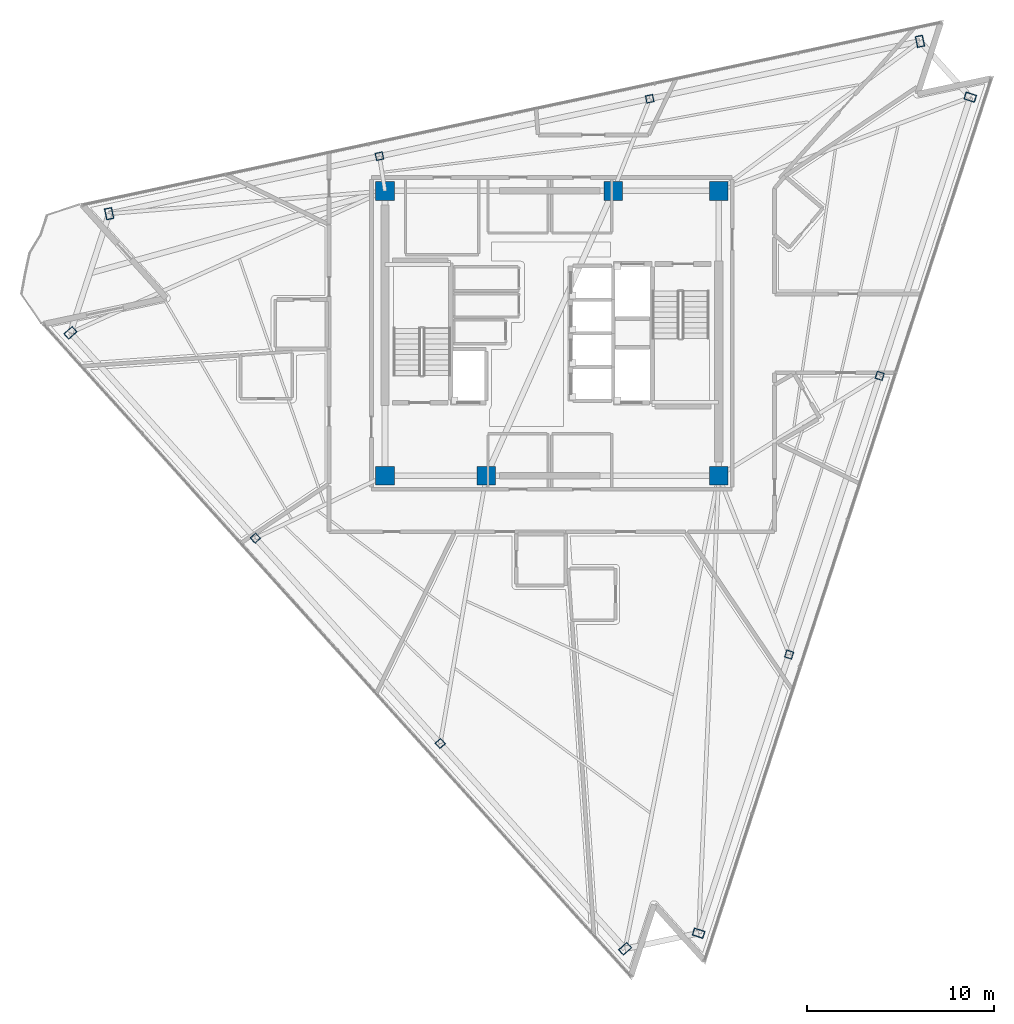
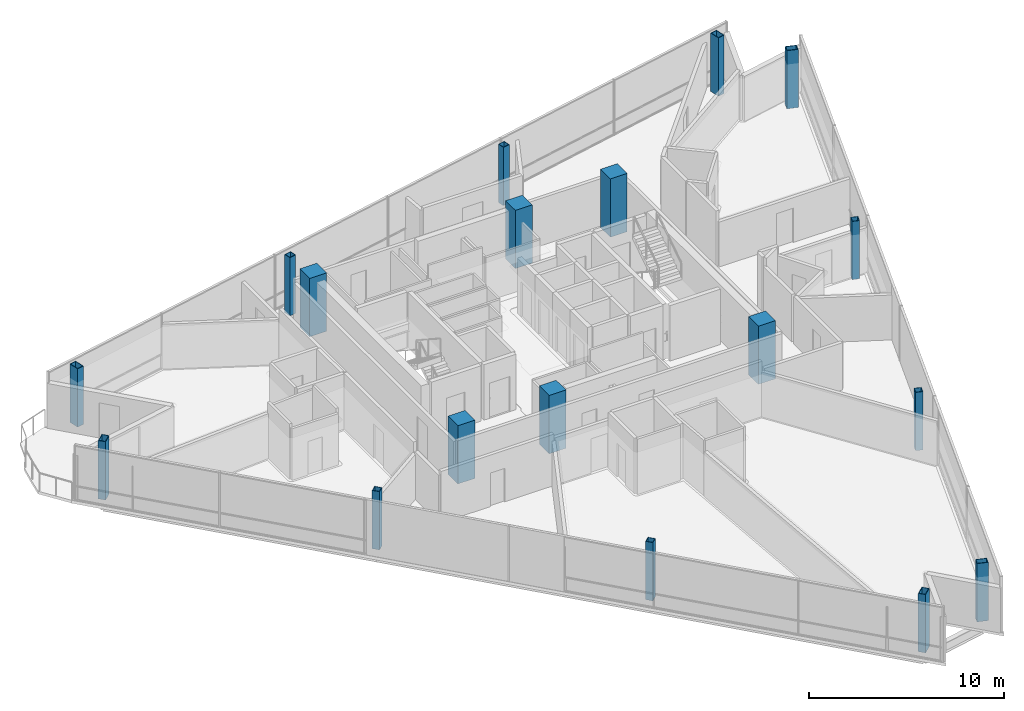
# One storey, part 1 of 18: 18 columns.
"""IFC4 building model written with IfcOpenShell, lengths in metres."""

from ifc_helpers import new_model, si_unit, direction, frame, origin, origin_2d, place, context, subcontext, project, spatial, rectangle, hollow_rectangle, extrude, material, material_profile, profile_set, type_object, element, save


model = new_model("IFC4")

# Units and contexts
model_context = context("Model", 3, precision=1e-05, world=origin(), true_north=direction((0.0, 1.0)))
body_context = subcontext(model_context, "Body", "Model", "MODEL_VIEW")
ifc_project = project(units=[si_unit("LENGTHUNIT", "METRE"), si_unit("AREAUNIT", "SQUARE_METRE"), si_unit("VOLUMEUNIT", "CUBIC_METRE"), si_unit("PLANEANGLEUNIT", "RADIAN"), si_unit("MASSUNIT", "GRAM", prefix="KILO")], contexts=[model_context])

# Site, building, storey
site_placement = place(None, origin())
site = spatial("IfcSite", under=ifc_project, at=site_placement, CompositionType="ELEMENT")
building_placement = place(site_placement, origin())
building = spatial("IfcBuilding", under=site, at=building_placement, Name="Tharavind Bronze Gate", CompositionType="ELEMENT")
storey_placement = place(building_placement, frame((0.0, 0.0, 287.050048828125)))
storey = spatial("IfcBuildingStorey", under=building, at=storey_placement, Name="L74", CompositionType="ELEMENT", Elevation=287.050048828125)

# Columns
ifc_material_1 = material(Name="Steel S460", Category="steel")
ifc_material_profile_1 = material_profile(ifc_material_1, hollow_rectangle(XDim=0.39990234375, YDim=0.60009765625, WallThickness=0.030029296875, at=origin_2d()), Name="RHS600X400X30")
ifc_profile_set_1 = profile_set([ifc_material_profile_1], Name="Steel S460")
column_type_1 = type_object("IfcColumnType", Name="CORNER NOTCH COLUMN RHS600X400", PredefinedType="COLUMN", material=ifc_profile_set_1)
for number, where, z_axis, x_axis, name in (
    (1, (-25.6787109375, 0.03173828125, 0.0), (0.0, 0.0, 1.0), (-0.669130606359, 0.743144825477, 0.0), "L74 perimeter column S1C1"),
    (2, (3.908935546875, -32.82861328125, 0.0), (0.0, 0.0, 1.0), (-0.669130606359, 0.743144825477, 0.0), "L74 perimeter column S1C4"),
    (3, (7.829345703125, -31.99560546875, 0.0), (0.0, 0.0, 1.0), (0.309018654281, 0.951055976957, 0.0), "L74 perimeter column S2C1"),
    (4, (22.319091796875, 12.599609375, 0.0), (0.0, 0.0, 1.0), (0.309018654281, 0.951055976957, 0.0), "L74 perimeter column S2C4"),
    (5, (19.63720703125, 15.578125, 0.0), (0.0, 0.0, 1.0), (0.978147237858, 0.207913398007, 0.0), "L74 perimeter column S3C1"),
    (6, (-23.614501953125, 6.384765625, 0.0), (0.0, 0.0, 1.0), (0.978147237858, 0.207913398007, 0.0), "L74 perimeter column S3C4"),
):
    element("IfcColumn", number, at=place(storey_placement, frame(where, z_axis=z_axis, x_axis=x_axis)), inside=storey, type_object=column_type_1, Name=name, PredefinedType="COLUMN", context=body_context, shape_type="SweptSolid", body=[
        extrude(hollow_rectangle(XDim=0.39990234375, YDim=0.60009765625, WallThickness=0.030029296875, at=origin_2d()), origin(), (0.0, 0.0, 1.0), 3.64990234375),
    ])
ifc_material_2 = material(Name="Concrete C50/60", Category="concrete")
ifc_material_profile_2 = material_profile(ifc_material_2, rectangle(XDim=1.0, YDim=1.0, at=origin_2d()), Name="RCCOL1000")
ifc_profile_set_2 = profile_set([ifc_material_profile_2], Name="Concrete C50/60")
column_type_2 = type_object("IfcColumnType", Name="MEGA CORE COLUMN 1000", PredefinedType="COLUMN", material=ifc_profile_set_2)
for number, where, z_axis, x_axis, name in (
    (7, (-8.89990234375, -7.60009765625, 0.0), (0.0, 0.0, 1.0), (1.0, 0.0, 0.0), "L74 core mega column MC1"),
    (8, (-3.5, -7.60009765625, 0.0), (0.0, 0.0, 1.0), (1.0, 0.0, 0.0), "L74 core mega column MC2"),
    (9, (8.89990234375, -7.60009765625, 0.0), (0.0, 0.0, 1.0), (1.0, 0.0, 0.0), "L74 core mega column MC3"),
    (10, (8.89990234375, 7.60009765625, 0.0), (0.0, 0.0, 1.0), (1.0, 0.0, 0.0), "L74 core mega column MC4"),
    (11, (3.280029296875, 7.60009765625, 0.0), (0.0, 0.0, 1.0), (1.0, 0.0, 0.0), "L74 core mega column MC5"),
    (12, (-8.89990234375, 7.60009765625, 0.0), (0.0, 0.0, 1.0), (1.0, 0.0, 0.0), "L74 core mega column MC6"),
):
    element("IfcColumn", number, at=place(storey_placement, frame(where, z_axis=z_axis, x_axis=x_axis)), inside=storey, type_object=column_type_2, Name=name, PredefinedType="COLUMN", context=body_context, shape_type="SweptSolid", body=[
        extrude(rectangle(XDim=1.0, YDim=1.0, at=origin_2d()), origin(), (0.0, 0.0, 1.0), 3.64990234375),
    ])
ifc_material_profile_3 = material_profile(ifc_material_1, hollow_rectangle(XDim=0.39990234375, YDim=0.39990234375, WallThickness=0.02490234375, at=origin_2d()), Name="SHS400X25")
ifc_profile_set_3 = profile_set([ifc_material_profile_3], Name="Steel S460")
column_type_3 = type_object("IfcColumnType", Name="PERIMETER BOX COLUMN SHS400", PredefinedType="COLUMN", material=ifc_profile_set_3)
for number, where, z_axis, x_axis, name in (
    (13, (-15.816162109375, -10.921875, 0.0), (0.0, 0.0, 1.0), (-0.669130606359, 0.743144825477, 0.0), "L74 perimeter column S1C2"),
    (14, (-5.95361328125, -21.875244140625, 0.0), (0.0, 0.0, 1.0), (-0.669130606359, 0.743144825477, 0.0), "L74 perimeter column S1C3"),
    (15, (12.6591796875, -17.130615234375, 0.0), (0.0, 0.0, 1.0), (0.309018654281, 0.951055976957, 0.0), "L74 perimeter column S2C2"),
    (16, (17.4892578125, -2.265380859375, 0.0), (0.0, 0.0, 1.0), (0.309018654281, 0.951055976957, 0.0), "L74 perimeter column S2C3"),
    (17, (5.219970703125, 12.513671875, 0.0), (0.0, 0.0, 1.0), (0.978147237858, 0.207913398007, 0.0), "L74 perimeter column S3C2"),
    (18, (-9.197265625, 9.44921875, 0.0), (0.0, 0.0, 1.0), (0.978147237858, 0.207913398007, 0.0), "L74 perimeter column S3C3"),
):
    element("IfcColumn", number, at=place(storey_placement, frame(where, z_axis=z_axis, x_axis=x_axis)), inside=storey, type_object=column_type_3, Name=name, PredefinedType="COLUMN", context=body_context, shape_type="SweptSolid", body=[
        extrude(hollow_rectangle(XDim=0.39990234375, YDim=0.39990234375, WallThickness=0.02490234375, at=origin_2d()), origin(), (0.0, 0.0, 1.0), 3.64990234375),
    ])

save(model, "model.ifc")
